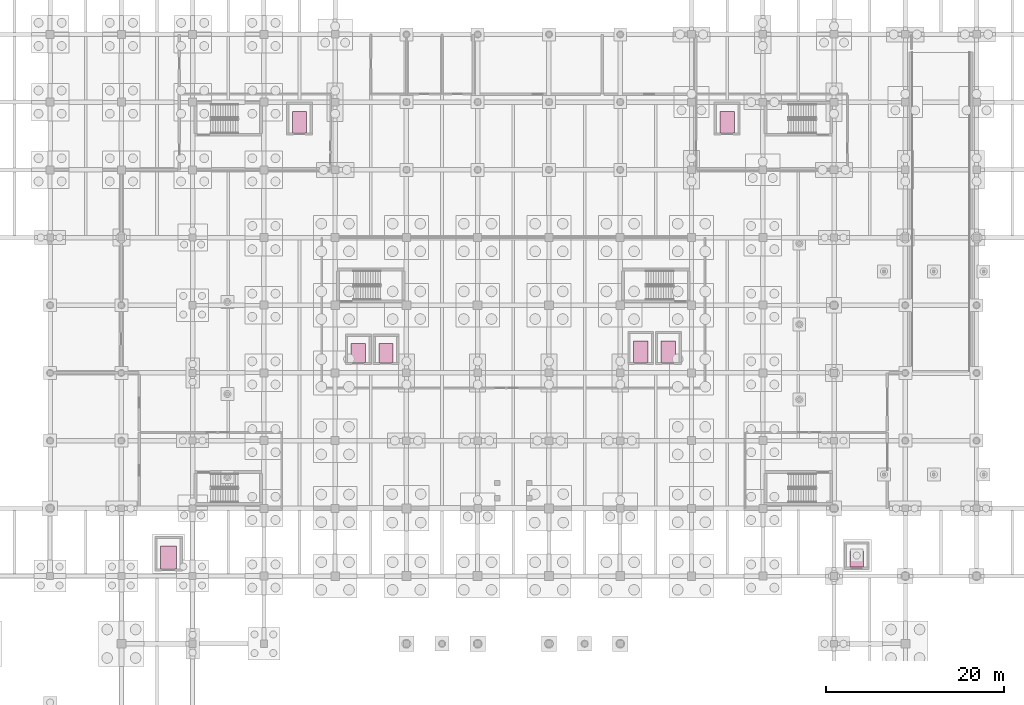
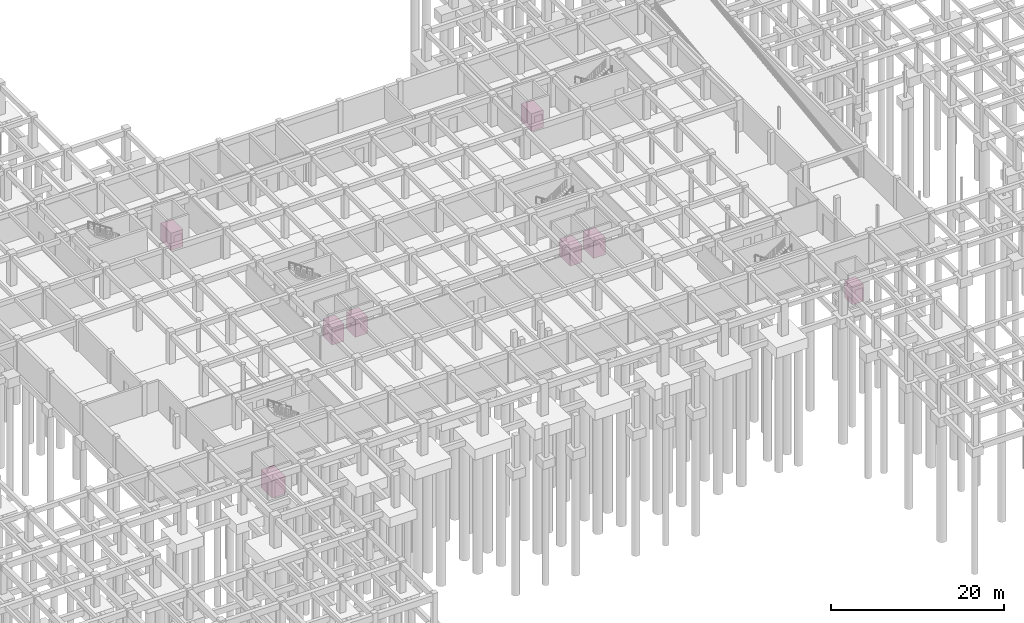
# One storey, part 49 of 49: 8 transport elements.
"""IFC4 building model written with IfcOpenShell, lengths in metres."""

from ifc_helpers import new_model, si_unit, direction, frame, origin, origin_2d, place, context, subcontext, project, spatial, rectangle, extrude, material, type_object, element, save


model = new_model("IFC4")

# Units and contexts
model_context = context("Model", 3, precision=1e-05, world=origin(), true_north=direction((0.0, 1.0)))
body_context = subcontext(model_context, "Body", "Model", "MODEL_VIEW")
ifc_project = project(units=[si_unit("LENGTHUNIT", "METRE"), si_unit("AREAUNIT", "SQUARE_METRE"), si_unit("VOLUMEUNIT", "CUBIC_METRE"), si_unit("PLANEANGLEUNIT", "RADIAN"), si_unit("MASSUNIT", "GRAM", prefix="KILO")], contexts=[model_context])

# Site, building, storey
site_placement = place(None, origin())
site = spatial("IfcSite", under=ifc_project, at=site_placement, CompositionType="ELEMENT")
building_placement = place(site_placement, origin())
building = spatial("IfcBuilding", under=site, at=building_placement, Name="Zantavel Square City Hall", CompositionType="ELEMENT")
storey_placement = place(building_placement, frame((0.0, 0.0, -4.5)))
storey = spatial("IfcBuildingStorey", under=building, at=storey_placement, Name="B1", CompositionType="ELEMENT", Elevation=-4.5)

# Transport elements
ifc_material = material(Name="Stainless steel 316", Category="steel")
transport_element_type_1 = type_object("IfcTransportElementType", Name="Annex Passenger Lift Car 1500x1800 1350kg", PredefinedType="ELEVATOR", material=ifc_material)
transport_element_1_placement = place(storey_placement, frame((122.550048828125, 32.300048828125, 0.0), z_axis=(0.0, 0.0, 1.0), x_axis=(1.0, 0.0, 0.0)))
element("IfcTransportElement", 1, at=transport_element_1_placement, inside=storey, type_object=transport_element_type_1, Name="Citizen Service Annex Lift LF07", PredefinedType="ELEVATOR", context=body_context, shape_type="SweptSolid", body=[
    extrude(rectangle(XDim=1.5, YDim=1.800048828125, at=origin_2d()), origin(), (0.0, 0.0, 1.0), 2.449951171875),
])
transport_element_type_2 = type_object("IfcTransportElementType", Name="Municipal Archive Goods Lift Car 1800x2600 2500kg", PredefinedType="ELEVATOR", material=ifc_material)
transport_element_2_placement = place(storey_placement, frame((45.300048828125, 32.5, 0.0), z_axis=(0.0, 0.0, 1.0), x_axis=(1.0, 0.0, 0.0)))
element("IfcTransportElement", 2, at=transport_element_2_placement, inside=storey, type_object=transport_element_type_2, Name="Municipal Archive Goods Lift LF08", PredefinedType="ELEVATOR", context=body_context, shape_type="SweptSolid", body=[
    extrude(rectangle(XDim=1.800048828125, YDim=2.60009765625, at=origin_2d()), origin(), (0.0, 0.0, 1.0), 2.449951171875),
])
transport_element_type_3 = type_object("IfcTransportElementType", Name="Passenger Lift Car 1600x2100 1600kg", PredefinedType="ELEVATOR", material=ifc_material)
for number, where, z_axis, x_axis, name in (
    (3, (66.60009765625, 55.449951171875, 0.0), (0.0, 0.0, 1.0), (1.0, 0.0, 0.0), "Ceremonial Passenger Lift LF01"),
    (4, (69.699951171875, 55.449951171875, 0.0), (0.0, 0.0, 1.0), (1.0, 0.0, 0.0), "Ceremonial Passenger Lift LF02"),
):
    element("IfcTransportElement", number, at=place(storey_placement, frame(where, z_axis=z_axis, x_axis=x_axis)), inside=storey, type_object=transport_element_type_3, Name=name, PredefinedType="ELEVATOR", context=body_context, shape_type="SweptSolid", body=[
        extrude(rectangle(XDim=1.60009765625, YDim=2.10009765625, at=origin_2d()), origin(), (0.0, 0.0, 1.0), 2.449951171875),
    ])
transport_element_type_4 = type_object("IfcTransportElementType", Name="Public & Stretcher Lift Car 1600x2400 1800kg", PredefinedType="ELEVATOR", material=ifc_material)
for number, where, z_axis, x_axis, name in (
    (5, (98.300048828125, 55.60009765625, 0.0), (0.0, 0.0, 1.0), (1.0, 0.0, 0.0), "Public Council Gallery Lift LF03"),
    (6, (101.39990234375, 55.60009765625, 0.0), (0.0, 0.0, 1.0), (1.0, 0.0, 0.0), "Public Council Gallery Lift LF04"),
    (7, (60.0, 81.35009765625, 0.0), (0.0, 0.0, 1.0), (1.0, 0.0, 0.0), "West Wing Stretcher Passenger Lift LF05"),
    (8, (108.0, 81.35009765625, 0.0), (0.0, 0.0, 1.0), (1.0, 0.0, 0.0), "East Wing Stretcher Passenger Lift LF06"),
):
    element("IfcTransportElement", number, at=place(storey_placement, frame(where, z_axis=z_axis, x_axis=x_axis)), inside=storey, type_object=transport_element_type_4, Name=name, PredefinedType="ELEVATOR", context=body_context, shape_type="SweptSolid", body=[
        extrude(rectangle(XDim=1.60009765625, YDim=2.39990234375, at=origin_2d()), origin(), (0.0, 0.0, 1.0), 2.449951171875),
    ])

save(model, "model.ifc")
